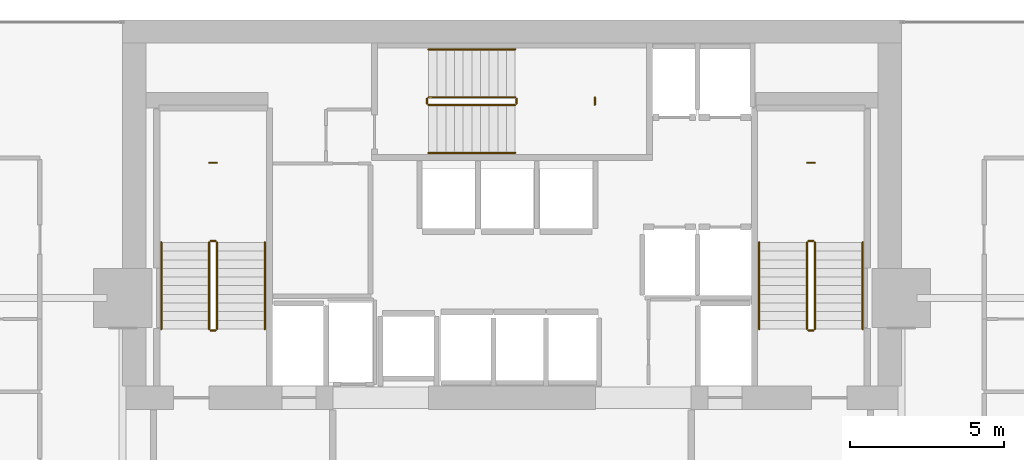
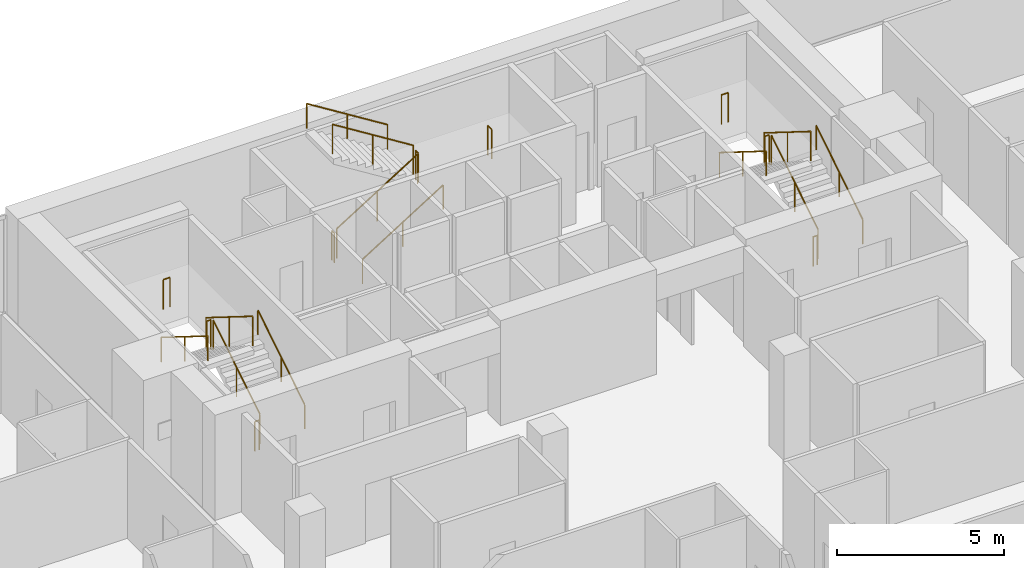
# One storey, part 34 of 34: 21 railings.
"""IFC4 building model written with IfcOpenShell, lengths in metres."""

from ifc_helpers import new_model, si_unit, direction, frame, origin, origin_2d, place, context, subcontext, project, spatial, circle, extrude, material, type_object, element, save


model = new_model("IFC4")

# Units and contexts
model_context = context("Model", 3, precision=1e-05, world=origin(), true_north=direction((0.0, 1.0)))
body_context = subcontext(model_context, "Body", "Model", "MODEL_VIEW")
ifc_project = project(units=[si_unit("LENGTHUNIT", "METRE"), si_unit("AREAUNIT", "SQUARE_METRE"), si_unit("VOLUMEUNIT", "CUBIC_METRE"), si_unit("PLANEANGLEUNIT", "RADIAN"), si_unit("MASSUNIT", "GRAM", prefix="KILO")], contexts=[model_context])

# Site, building, storey
site_placement = place(None, origin())
site = spatial("IfcSite", under=ifc_project, at=site_placement, CompositionType="ELEMENT")
building_placement = place(site_placement, origin())
building = spatial("IfcBuilding", under=site, at=building_placement, Name="Maruvema Waterfront Hotel and Observation Tower", CompositionType="ELEMENT")
storey_placement = place(building_placement, frame((0.0, 0.0, 131.25)))
storey = spatial("IfcBuildingStorey", under=building, at=storey_placement, Name="L31", CompositionType="ELEMENT", Elevation=131.25)

# Railings
ifc_material_1 = material(Name="Brushed stainless steel Grade 316", Category="steel")
railing_type_1 = type_object("IfcRailingType", Name="Ramp Continuous Wall Handrail 920 mm", PredefinedType="HANDRAIL", material=ifc_material_1)
railing_1_placement = place(storey_placement, frame((29.800048828125, 44.0, 0.175048828125)))
element("IfcRailing", 1, at=railing_1_placement, inside=storey, type_object=railing_type_1, Name="L31 ST-01 stair handrail 1", PredefinedType="HANDRAIL", context=body_context, shape_type="SweptSolid", body=[
    extrude(circle(Radius=0.02392578125, at=origin_2d()), frame((0.0, 0.0, 0.89599609375), z_axis=(0.0, 0.848002457836, 0.529992293815), x_axis=(-1.0, 0.0, 0.0)), (0.0, 0.0, 1.0), 3.302001953125),
    extrude(circle(Radius=0.02099609375, at=origin_2d()), origin(), (0.0, 0.0, 1.0), 0.871826171875),
    extrude(circle(Radius=0.02099609375, at=origin_2d()), frame((0.0, 1.39990234375, 0.875)), (0.0, 0.0, 1.0), 0.871826171875),
    extrude(circle(Radius=0.02099609375, at=origin_2d()), frame((0.0, 2.800048828125, 1.75)), (0.0, 0.0, 1.0), 0.871826171875),
])
railing_2_placement = place(storey_placement, frame((26.449951171875, 46.800048828125, 2.10009765625)))
element("IfcRailing", 2, at=railing_2_placement, inside=storey, type_object=railing_type_1, Name="L31 ST-01 stair handrail 2", PredefinedType="HANDRAIL", context=body_context, shape_type="SweptSolid", body=[
    extrude(circle(Radius=0.02392578125, at=origin_2d()), frame((0.0, 0.0, 0.89599609375), z_axis=(0.0, -0.848002457836, 0.529992293815), x_axis=(1.0, 0.0, 0.0)), (0.0, 0.0, 1.0), 3.302001953125),
    extrude(circle(Radius=0.02099609375, at=origin_2d()), origin(), (0.0, 0.0, 1.0), 0.871826171875),
    extrude(circle(Radius=0.02099609375, at=origin_2d()), frame((0.0, -1.39990234375, 0.875)), (0.0, 0.0, 1.0), 0.871826171875),
    extrude(circle(Radius=0.02099609375, at=origin_2d()), frame((0.0, -2.800048828125, 1.75)), (0.0, 0.0, 1.0), 0.871826171875),
])
railing_3_placement = place(storey_placement, frame((35.10009765625, 49.699951171875, 0.175048828125)))
element("IfcRailing", 3, at=railing_3_placement, inside=storey, type_object=railing_type_1, Name="L31 ST-02 stair handrail 1", PredefinedType="HANDRAIL", context=body_context, shape_type="SweptSolid", body=[
    extrude(circle(Radius=0.02392578125, at=origin_2d()), frame((0.0, 0.0, 0.89599609375), z_axis=(0.847981687118, 0.0, 0.530025526095), x_axis=(0.0, 1.0, 0.0)), (0.0, 0.0, 1.0), 3.3017578125),
    extrude(circle(Radius=0.02099609375, at=origin_2d()), origin(), (0.0, 0.0, 1.0), 0.871826171875),
    extrude(circle(Radius=0.02099609375, at=origin_2d()), frame((1.39990234375, 0.0, 0.875)), (0.0, 0.0, 1.0), 0.871826171875),
    extrude(circle(Radius=0.02099609375, at=origin_2d()), frame((2.7998046875, 0.0, 1.75)), (0.0, 0.0, 1.0), 0.871826171875),
])
railing_4_placement = place(storey_placement, frame((37.89990234375, 53.050048828125, 2.10009765625)))
element("IfcRailing", 4, at=railing_4_placement, inside=storey, type_object=railing_type_1, Name="L31 ST-02 stair handrail 2", PredefinedType="HANDRAIL", context=body_context, shape_type="SweptSolid", body=[
    extrude(circle(Radius=0.02392578125, at=origin_2d()), frame((0.0, 0.0, 0.89599609375), z_axis=(-0.847981687118, 0.0, 0.530025526095), x_axis=(0.0, -1.0, 0.0)), (0.0, 0.0, 1.0), 3.3017578125),
    extrude(circle(Radius=0.02099609375, at=origin_2d()), origin(), (0.0, 0.0, 1.0), 0.871826171875),
    extrude(circle(Radius=0.02099609375, at=origin_2d()), frame((-1.39990234375, 0.0, 0.875)), (0.0, 0.0, 1.0), 0.871826171875),
    extrude(circle(Radius=0.02099609375, at=origin_2d()), frame((-2.7998046875, 0.0, 1.75)), (0.0, 0.0, 1.0), 0.871826171875),
])
railing_5_placement = place(storey_placement, frame((49.14990234375, 44.0, 0.175048828125)))
element("IfcRailing", 5, at=railing_5_placement, inside=storey, type_object=railing_type_1, Name="L31 ST-03 stair handrail 1", PredefinedType="HANDRAIL", context=body_context, shape_type="SweptSolid", body=[
    extrude(circle(Radius=0.02392578125, at=origin_2d()), frame((0.0, 0.0, 0.89599609375), z_axis=(0.0, 0.848002457836, 0.529992293815), x_axis=(-1.0, 0.0, 0.0)), (0.0, 0.0, 1.0), 3.302001953125),
    extrude(circle(Radius=0.02099609375, at=origin_2d()), origin(), (0.0, 0.0, 1.0), 0.871826171875),
    extrude(circle(Radius=0.02099609375, at=origin_2d()), frame((0.0, 1.39990234375, 0.875)), (0.0, 0.0, 1.0), 0.871826171875),
    extrude(circle(Radius=0.02099609375, at=origin_2d()), frame((0.0, 2.800048828125, 1.75)), (0.0, 0.0, 1.0), 0.871826171875),
])
railing_6_placement = place(storey_placement, frame((45.800048828125, 46.800048828125, 2.10009765625)))
element("IfcRailing", 6, at=railing_6_placement, inside=storey, type_object=railing_type_1, Name="L31 ST-03 stair handrail 2", PredefinedType="HANDRAIL", context=body_context, shape_type="SweptSolid", body=[
    extrude(circle(Radius=0.02392578125, at=origin_2d()), frame((0.0, 0.0, 0.89599609375), z_axis=(0.0, -0.848002457836, 0.529992293815), x_axis=(1.0, 0.0, 0.0)), (0.0, 0.0, 1.0), 3.302001953125),
    extrude(circle(Radius=0.02099609375, at=origin_2d()), origin(), (0.0, 0.0, 1.0), 0.871826171875),
    extrude(circle(Radius=0.02099609375, at=origin_2d()), frame((0.0, -1.39990234375, 0.875)), (0.0, 0.0, 1.0), 0.871826171875),
    extrude(circle(Radius=0.02099609375, at=origin_2d()), frame((0.0, -2.800048828125, 1.75)), (0.0, 0.0, 1.0), 0.871826171875),
])
ifc_material_2 = material(Name="Brushed stainless steel Grade 316", Category="steel")
railing_type_2 = type_object("IfcRailingType", Name="Ramp and Terrace Guard Balustrade 1100 mm", PredefinedType="BALUSTRADE", material=ifc_material_2)
railing_7_placement = place(storey_placement, frame((28.25, 44.0, 0.175048828125)))
element("IfcRailing", 7, at=railing_7_placement, inside=storey, type_object=railing_type_2, Name="L31 ST-01 stair guard 1", PredefinedType="BALUSTRADE", context=body_context, shape_type="SweptSolid", body=[
    extrude(circle(Radius=0.02392578125, at=origin_2d()), frame((0.0, 0.0, 1.076171875), z_axis=(0.0, 0.848002457836, 0.529992293815), x_axis=(-1.0, 0.0, 0.0)), (0.0, 0.0, 1.0), 3.302001953125),
    extrude(circle(Radius=0.02099609375, at=origin_2d()), origin(), (0.0, 0.0, 1.0), 1.052001953125),
    extrude(circle(Radius=0.02099609375, at=origin_2d()), frame((0.0, 1.39990234375, 0.875)), (0.0, 0.0, 1.0), 1.052001953125),
    extrude(circle(Radius=0.02099609375, at=origin_2d()), frame((0.0, 2.800048828125, 1.75)), (0.0, 0.0, 1.0), 1.052001953125),
])
railing_8_placement = place(storey_placement, frame((28.199951171875, 46.85009765625, 1.925048828125)))
element("IfcRailing", 8, at=railing_8_placement, inside=storey, type_object=railing_type_2, Name="L31 ST-01 stair guard 2", PredefinedType="BALUSTRADE", context=body_context, shape_type="SweptSolid", body=[
    extrude(circle(Radius=0.02392578125, at=origin_2d()), frame((0.0, 0.0, 1.076171875), z_axis=(-1.0, 0.0, 0.0), x_axis=(0.0, -1.0, 0.0)), (0.0, 0.0, 1.0), 0.14990234375),
    extrude(circle(Radius=0.02099609375, at=origin_2d()), origin(), (0.0, 0.0, 1.0), 1.052001953125),
    extrude(circle(Radius=0.02099609375, at=origin_2d()), frame((-0.14990234375, 0.0, 0.0)), (0.0, 0.0, 1.0), 1.052001953125),
])
railing_9_placement = place(storey_placement, frame((28.0, 46.800048828125, 2.10009765625)))
element("IfcRailing", 9, at=railing_9_placement, inside=storey, type_object=railing_type_2, Name="L31 ST-01 stair guard 3", PredefinedType="BALUSTRADE", context=body_context, shape_type="SweptSolid", body=[
    extrude(circle(Radius=0.02392578125, at=origin_2d()), frame((0.0, 0.0, 1.076171875), z_axis=(0.0, -0.848002457836, 0.529992293815), x_axis=(1.0, 0.0, 0.0)), (0.0, 0.0, 1.0), 3.302001953125),
    extrude(circle(Radius=0.02099609375, at=origin_2d()), origin(), (0.0, 0.0, 1.0), 1.052001953125),
    extrude(circle(Radius=0.02099609375, at=origin_2d()), frame((0.0, -1.39990234375, 0.875)), (0.0, 0.0, 1.0), 1.052001953125),
    extrude(circle(Radius=0.02099609375, at=origin_2d()), frame((0.0, -2.800048828125, 1.75)), (0.0, 0.0, 1.0), 1.052001953125),
])
railing_10_placement = place(storey_placement, frame((28.199951171875, 43.949951171875, 0.0)))
element("IfcRailing", 10, at=railing_10_placement, inside=storey, type_object=railing_type_2, Name="L31 ST-01 stair guard 4", PredefinedType="BALUSTRADE", context=body_context, shape_type="SweptSolid", body=[
    extrude(circle(Radius=0.02392578125, at=origin_2d()), frame((0.0, 0.0, 1.076171875), z_axis=(-1.0, 0.0, 0.0), x_axis=(0.0, -1.0, 0.0)), (0.0, 0.0, 1.0), 0.14990234375),
    extrude(circle(Radius=0.02099609375, at=origin_2d()), origin(), (0.0, 0.0, 1.0), 1.052001953125),
    extrude(circle(Radius=0.02099609375, at=origin_2d()), frame((-0.14990234375, 0.0, 0.0)), (0.0, 0.0, 1.0), 1.052001953125),
])
railing_11_placement = place(storey_placement, frame((28.239990234375, 49.3798828125, 1.925048828125)))
element("IfcRailing", 11, at=railing_11_placement, inside=storey, type_object=railing_type_2, Name="L31 ST-01 Half-Landing Slot Guard", PredefinedType="BALUSTRADE", context=body_context, shape_type="SweptSolid", body=[
    extrude(circle(Radius=0.02392578125, at=origin_2d()), frame((0.0, 0.0, 1.076171875), z_axis=(-1.0, 0.0, 0.0), x_axis=(0.0, -1.0, 0.0)), (0.0, 0.0, 1.0), 0.22998046875),
    extrude(circle(Radius=0.02099609375, at=origin_2d()), origin(), (0.0, 0.0, 1.0), 1.052001953125),
    extrude(circle(Radius=0.02099609375, at=origin_2d()), frame((-0.22998046875, 0.0, 0.0)), (0.0, 0.0, 1.0), 1.052001953125),
])
railing_12_placement = place(storey_placement, frame((35.10009765625, 51.25, 0.175048828125)))
element("IfcRailing", 12, at=railing_12_placement, inside=storey, type_object=railing_type_2, Name="L31 ST-02 stair guard 1", PredefinedType="BALUSTRADE", context=body_context, shape_type="SweptSolid", body=[
    extrude(circle(Radius=0.02392578125, at=origin_2d()), frame((0.0, 0.0, 1.076171875), z_axis=(0.847981687118, 0.0, 0.530025526095), x_axis=(0.0, 1.0, 0.0)), (0.0, 0.0, 1.0), 3.3017578125),
    extrude(circle(Radius=0.02099609375, at=origin_2d()), origin(), (0.0, 0.0, 1.0), 1.052001953125),
    extrude(circle(Radius=0.02099609375, at=origin_2d()), frame((1.39990234375, 0.0, 0.875)), (0.0, 0.0, 1.0), 1.052001953125),
    extrude(circle(Radius=0.02099609375, at=origin_2d()), frame((2.7998046875, 0.0, 1.75)), (0.0, 0.0, 1.0), 1.052001953125),
])
railing_13_placement = place(storey_placement, frame((37.949951171875, 51.300048828125, 1.925048828125)))
element("IfcRailing", 13, at=railing_13_placement, inside=storey, type_object=railing_type_2, Name="L31 ST-02 stair guard 2", PredefinedType="BALUSTRADE", context=body_context, shape_type="SweptSolid", body=[
    extrude(circle(Radius=0.02392578125, at=origin_2d()), frame((0.0, 0.0, 1.076171875), z_axis=(0.0, 1.0, 0.0), x_axis=(-1.0, 0.0, 0.0)), (0.0, 0.0, 1.0), 0.14990234375),
    extrude(circle(Radius=0.02099609375, at=origin_2d()), origin(), (0.0, 0.0, 1.0), 1.052001953125),
    extrude(circle(Radius=0.02099609375, at=origin_2d()), frame((0.0, 0.14990234375, 0.0)), (0.0, 0.0, 1.0), 1.052001953125),
])
railing_14_placement = place(storey_placement, frame((37.89990234375, 51.5, 2.10009765625)))
element("IfcRailing", 14, at=railing_14_placement, inside=storey, type_object=railing_type_2, Name="L31 ST-02 stair guard 3", PredefinedType="BALUSTRADE", context=body_context, shape_type="SweptSolid", body=[
    extrude(circle(Radius=0.02392578125, at=origin_2d()), frame((0.0, 0.0, 1.076171875), z_axis=(-0.847981687118, 0.0, 0.530025526095), x_axis=(0.0, -1.0, 0.0)), (0.0, 0.0, 1.0), 3.3017578125),
    extrude(circle(Radius=0.02099609375, at=origin_2d()), origin(), (0.0, 0.0, 1.0), 1.052001953125),
    extrude(circle(Radius=0.02099609375, at=origin_2d()), frame((-1.39990234375, 0.0, 0.875)), (0.0, 0.0, 1.0), 1.052001953125),
    extrude(circle(Radius=0.02099609375, at=origin_2d()), frame((-2.7998046875, 0.0, 1.75)), (0.0, 0.0, 1.0), 1.052001953125),
])
railing_15_placement = place(storey_placement, frame((35.050048828125, 51.300048828125, 0.0)))
element("IfcRailing", 15, at=railing_15_placement, inside=storey, type_object=railing_type_2, Name="L31 ST-02 stair guard 4", PredefinedType="BALUSTRADE", context=body_context, shape_type="SweptSolid", body=[
    extrude(circle(Radius=0.02392578125, at=origin_2d()), frame((0.0, 0.0, 1.076171875), z_axis=(0.0, 1.0, 0.0), x_axis=(-1.0, 0.0, 0.0)), (0.0, 0.0, 1.0), 0.14990234375),
    extrude(circle(Radius=0.02099609375, at=origin_2d()), origin(), (0.0, 0.0, 1.0), 1.052001953125),
    extrude(circle(Radius=0.02099609375, at=origin_2d()), frame((0.0, 0.14990234375, 0.0)), (0.0, 0.0, 1.0), 1.052001953125),
])
railing_16_placement = place(storey_placement, frame((40.47998046875, 51.260009765625, 1.925048828125)))
element("IfcRailing", 16, at=railing_16_placement, inside=storey, type_object=railing_type_2, Name="L31 ST-02 Half-Landing Slot Guard", PredefinedType="BALUSTRADE", context=body_context, shape_type="SweptSolid", body=[
    extrude(circle(Radius=0.02392578125, at=origin_2d()), frame((0.0, 0.0, 1.076171875), z_axis=(0.0, 1.0, 0.0), x_axis=(-1.0, 0.0, 0.0)), (0.0, 0.0, 1.0), 0.22998046875),
    extrude(circle(Radius=0.02099609375, at=origin_2d()), origin(), (0.0, 0.0, 1.0), 1.052001953125),
    extrude(circle(Radius=0.02099609375, at=origin_2d()), frame((0.0, 0.22998046875, 0.0)), (0.0, 0.0, 1.0), 1.052001953125),
])
railing_17_placement = place(storey_placement, frame((47.60009765625, 44.0, 0.175048828125)))
element("IfcRailing", 17, at=railing_17_placement, inside=storey, type_object=railing_type_2, Name="L31 ST-03 stair guard 1", PredefinedType="BALUSTRADE", context=body_context, shape_type="SweptSolid", body=[
    extrude(circle(Radius=0.02392578125, at=origin_2d()), frame((0.0, 0.0, 1.076171875), z_axis=(0.0, 0.848002457836, 0.529992293815), x_axis=(-1.0, 0.0, 0.0)), (0.0, 0.0, 1.0), 3.302001953125),
    extrude(circle(Radius=0.02099609375, at=origin_2d()), origin(), (0.0, 0.0, 1.0), 1.052001953125),
    extrude(circle(Radius=0.02099609375, at=origin_2d()), frame((0.0, 1.39990234375, 0.875)), (0.0, 0.0, 1.0), 1.052001953125),
    extrude(circle(Radius=0.02099609375, at=origin_2d()), frame((0.0, 2.800048828125, 1.75)), (0.0, 0.0, 1.0), 1.052001953125),
])
railing_18_placement = place(storey_placement, frame((47.550048828125, 46.85009765625, 1.925048828125)))
element("IfcRailing", 18, at=railing_18_placement, inside=storey, type_object=railing_type_2, Name="L31 ST-03 stair guard 2", PredefinedType="BALUSTRADE", context=body_context, shape_type="SweptSolid", body=[
    extrude(circle(Radius=0.02392578125, at=origin_2d()), frame((0.0, 0.0, 1.076171875), z_axis=(-1.0, 0.0, 0.0), x_axis=(0.0, -1.0, 0.0)), (0.0, 0.0, 1.0), 0.150146484375),
    extrude(circle(Radius=0.02099609375, at=origin_2d()), origin(), (0.0, 0.0, 1.0), 1.052001953125),
    extrude(circle(Radius=0.02099609375, at=origin_2d()), frame((-0.150146484375, 0.0, 0.0)), (0.0, 0.0, 1.0), 1.052001953125),
])
railing_19_placement = place(storey_placement, frame((47.35009765625, 46.800048828125, 2.10009765625)))
element("IfcRailing", 19, at=railing_19_placement, inside=storey, type_object=railing_type_2, Name="L31 ST-03 stair guard 3", PredefinedType="BALUSTRADE", context=body_context, shape_type="SweptSolid", body=[
    extrude(circle(Radius=0.02392578125, at=origin_2d()), frame((0.0, 0.0, 1.076171875), z_axis=(0.0, -0.848002457836, 0.529992293815), x_axis=(1.0, 0.0, 0.0)), (0.0, 0.0, 1.0), 3.302001953125),
    extrude(circle(Radius=0.02099609375, at=origin_2d()), origin(), (0.0, 0.0, 1.0), 1.052001953125),
    extrude(circle(Radius=0.02099609375, at=origin_2d()), frame((0.0, -1.39990234375, 0.875)), (0.0, 0.0, 1.0), 1.052001953125),
    extrude(circle(Radius=0.02099609375, at=origin_2d()), frame((0.0, -2.800048828125, 1.75)), (0.0, 0.0, 1.0), 1.052001953125),
])
railing_20_placement = place(storey_placement, frame((47.550048828125, 43.949951171875, 0.0)))
element("IfcRailing", 20, at=railing_20_placement, inside=storey, type_object=railing_type_2, Name="L31 ST-03 stair guard 4", PredefinedType="BALUSTRADE", context=body_context, shape_type="SweptSolid", body=[
    extrude(circle(Radius=0.02392578125, at=origin_2d()), frame((0.0, 0.0, 1.076171875), z_axis=(-1.0, 0.0, 0.0), x_axis=(0.0, -1.0, 0.0)), (0.0, 0.0, 1.0), 0.150146484375),
    extrude(circle(Radius=0.02099609375, at=origin_2d()), origin(), (0.0, 0.0, 1.0), 1.052001953125),
    extrude(circle(Radius=0.02099609375, at=origin_2d()), frame((-0.150146484375, 0.0, 0.0)), (0.0, 0.0, 1.0), 1.052001953125),
])
railing_21_placement = place(storey_placement, frame((47.590087890625, 49.3798828125, 1.925048828125)))
element("IfcRailing", 21, at=railing_21_placement, inside=storey, type_object=railing_type_2, Name="L31 ST-03 Half-Landing Slot Guard", PredefinedType="BALUSTRADE", context=body_context, shape_type="SweptSolid", body=[
    extrude(circle(Radius=0.02392578125, at=origin_2d()), frame((0.0, 0.0, 1.076171875), z_axis=(-1.0, 0.0, 0.0), x_axis=(0.0, -1.0, 0.0)), (0.0, 0.0, 1.0), 0.22998046875),
    extrude(circle(Radius=0.02099609375, at=origin_2d()), origin(), (0.0, 0.0, 1.0), 1.052001953125),
    extrude(circle(Radius=0.02099609375, at=origin_2d()), frame((-0.22998046875, 0.0, 0.0)), (0.0, 0.0, 1.0), 1.052001953125),
])

save(model, "model.ifc")
